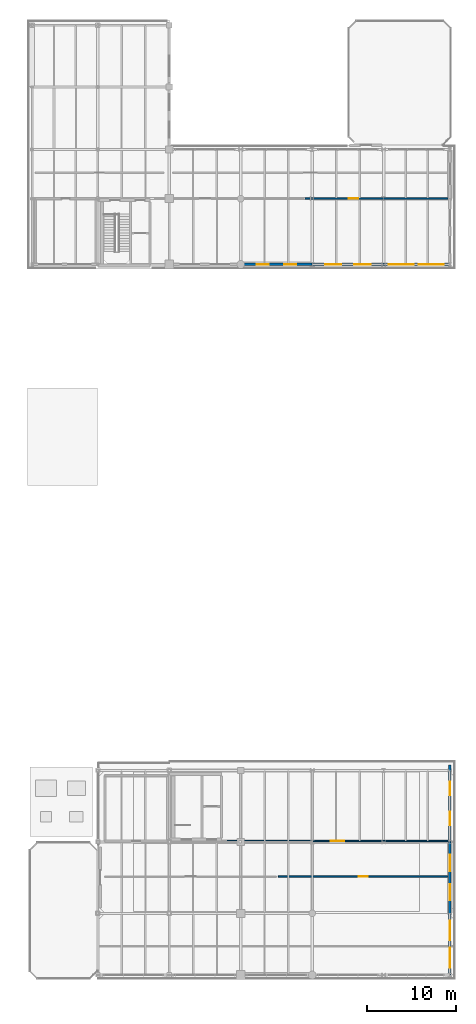
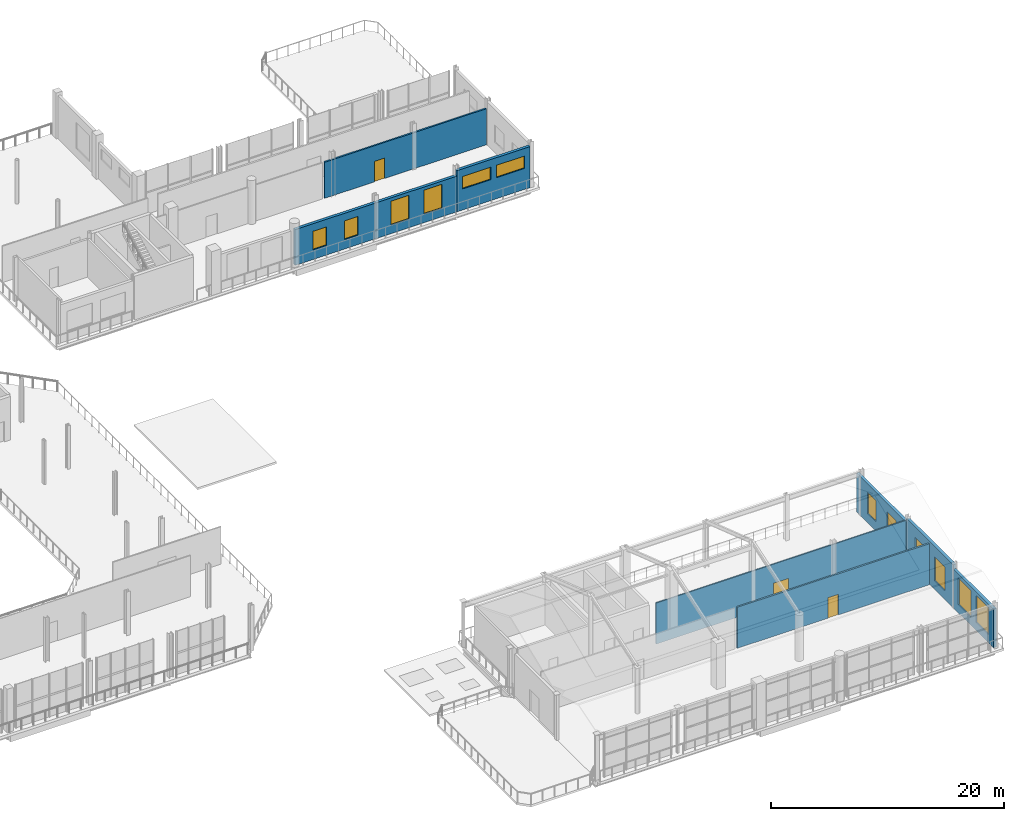
# One storey, part 38 of 51: 12 windows, 9 walls, 3 doors, 15 openings.
"""IFC4 building model written with IfcOpenShell, lengths in metres."""

import ifcopenshell
import ifcopenshell.guid

model = None  # the IFC model being written
_history = None  # IfcOwnerHistory: only IFC2X3 demands one
_inside = {}  # id of a spatial element -> (the spatial element, [elements in it])
_under = {}  # id of a project, library or spatial element -> (it, [spatial elements below it])
_declared = {}  # id of a project -> (the project, [libraries it declares])
_typed = {}  # id of a type object -> (the type object, [elements of that type])
_made_of = {}  # id of a material, layer set ... -> (it, [elements and type objects made of it])


def new_model(schema):
    """Start an empty IFC model of exactly this schema.

    Asked for "IFC4X3", IfcOpenShell would pick the latest addendum, in which some entities
    have other attributes; the version numbers below select the first issue.
    IFC2X3 requires an IfcOwnerHistory on every rooted entity: one is made here for all.
    """
    global model, _history
    if schema == "IFC4X3":
        model = ifcopenshell.file(schema_version=(4, 3, 0, 0))
    else:
        model = ifcopenshell.file(schema=schema)
    _inside.clear()
    _under.clear()
    _declared.clear()
    _typed.clear()
    _made_of.clear()
    _history = None
    if model.schema == "IFC2X3":
        org = make("IfcOrganization", Name="unknown")
        user = make(
            "IfcPersonAndOrganization",
            ThePerson=make("IfcPerson", FamilyName="unknown"),
            TheOrganization=org,
        )
        app = make(
            "IfcApplication",
            ApplicationDeveloper=org,
            Version="unknown",
            ApplicationFullName="unknown",
            ApplicationIdentifier="unknown",
        )
        _history = make(
            "IfcOwnerHistory",
            OwningUser=user,
            OwningApplication=app,
            ChangeAction="ADDED",
            CreationDate=0,
        )
    return model


def make(cls, **values):
    """One entity of the class cls with the attributes given. An attribute that is None is left unset."""
    return model.create_entity(
        cls, **{name: value for name, value in values.items() if value is not None}
    )


def rooted(cls, **values):
    """An entity with a GlobalId (a new one), such as an element, a storey or a relation."""
    return make(cls, GlobalId=ifcopenshell.guid.new(), OwnerHistory=_history, **values)


def si_unit(unit_type, name, prefix=None):
    """IfcSIUnit, for example si_unit("LENGTHUNIT", "METRE", prefix="MILLI")."""
    return make("IfcSIUnit", UnitType=unit_type, Prefix=prefix, Name=name)


def assignment(units):
    """IfcUnitAssignment: the units of a project."""
    return None if units is None else make("IfcUnitAssignment", Units=units)


def point(xyz):
    """IfcCartesianPoint."""
    return None if xyz is None else make("IfcCartesianPoint", Coordinates=xyz)


def direction(xyz):
    """IfcDirection."""
    return None if xyz is None else make("IfcDirection", DirectionRatios=xyz)


def frame(location, z_axis=None, x_axis=None):
    """IfcAxis2Placement3D, a coordinate frame: its origin and axes. An axis left out is left unset."""
    return make(
        "IfcAxis2Placement3D",
        Location=point(location),
        Axis=direction(z_axis),
        RefDirection=direction(x_axis),
    )


def frame_2d(location, x_axis=None):
    """IfcAxis2Placement2D, a coordinate frame in the plane: its origin and x axis."""
    return make(
        "IfcAxis2Placement2D", Location=point(location), RefDirection=direction(x_axis)
    )


def origin():
    """The frame at (0, 0, 0) with its axes left unset."""
    return frame((0.0, 0.0, 0.0))


def place(relative_to, where):
    """IfcLocalPlacement: puts the frame where relative to a parent placement (None: the world)."""
    return make(
        "IfcLocalPlacement", PlacementRelTo=relative_to, RelativePlacement=where
    )


def context(
    kind, dimensions, precision=None, world=None, true_north=None, identifier=None
):
    """IfcGeometricRepresentationContext, for example the 3D "Model" context."""
    return make(
        "IfcGeometricRepresentationContext",
        ContextIdentifier=identifier,
        ContextType=kind,
        CoordinateSpaceDimension=dimensions,
        Precision=precision,
        WorldCoordinateSystem=world,
        TrueNorth=true_north,
    )


def subcontext(parent, identifier, kind, view, scale=None):
    """IfcGeometricRepresentationSubContext, for example "Body" below "Model"."""
    return make(
        "IfcGeometricRepresentationSubContext",
        ContextIdentifier=identifier,
        ContextType=kind,
        ParentContext=parent,
        TargetScale=scale,
        TargetView=view,
    )


def project(units=None, contexts=None):
    """IfcProject with its units and contexts."""
    return rooted(
        "IfcProject",
        Name="project",
        RepresentationContexts=contexts,
        UnitsInContext=assignment(units),
    )


def spatial(cls, under=None, at=None, **own):
    """A site, building, storey or space (cls), placed at a placement, below another one or the project."""
    s = rooted(cls, ObjectPlacement=at, **own)
    if under is not None:
        _under.setdefault(under.id(), (under, []))[1].append(s)
    return s


def profile(cls, at=None, kind="AREA", **sizes):
    """A parametric profile (cls). Its sizes go by their IFC names, for example OverallWidth=200.0."""
    return make(cls, ProfileType=kind, Position=at, **sizes)


def rectangle(**sizes):
    """IfcRectangleProfileDef."""
    return profile("IfcRectangleProfileDef", **sizes)


def extrude(swept, where, along, depth):
    """IfcExtrudedAreaSolid: the profile swept, set in the frame where, extruded along a direction by depth."""
    return make(
        "IfcExtrudedAreaSolid",
        SweptArea=swept,
        Position=where,
        ExtrudedDirection=direction(along),
        Depth=depth,
    )


def shape(context_of_items, identifier, shape_type, items):
    """IfcShapeRepresentation: the items that make up one representation, for example the "Body"."""
    return make(
        "IfcShapeRepresentation",
        ContextOfItems=context_of_items,
        RepresentationIdentifier=identifier,
        RepresentationType=shape_type,
        Items=items,
    )


def material(Name=None, Category=None):
    """IfcMaterial."""
    return make("IfcMaterial", Name=Name, Category=Category)


def layer(
    of_material, thickness, ventilated=None, Name=None, Category=None, Priority=None
):
    """IfcMaterialLayer: one layer of a wall or slab, of a material (None: an air gap)."""
    return make(
        "IfcMaterialLayer",
        Material=of_material,
        LayerThickness=thickness,
        IsVentilated=ventilated,
        Name=Name,
        Category=Category,
        Priority=Priority,
    )


def layer_set(layers, Name=None):
    """IfcMaterialLayerSet."""
    return make("IfcMaterialLayerSet", MaterialLayers=layers, LayerSetName=Name)


def made_of(thing, what):
    """Note that an element or type object is made of a material, layer set ...; save() writes the relation."""
    if what is not None:
        _made_of.setdefault(what.id(), (what, []))[1].append(thing)
    return thing


def type_object(cls, material=None, **own):
    """A type object (cls), such as IfcWallType, which elements share."""
    return made_of(rooted(cls, **own), material)


def element(
    cls,
    number,
    at=None,
    inside=None,
    cuts=None,
    type_object=None,
    material=None,
    context=None,
    identifier="Body",
    shape_type=None,
    held_by="IfcProductDefinitionShape",
    body=None,
    shapes=None,
    **own,
):
    """One element of the class cls, such as IfcWall. Its Tag is "e" and its number.

    at: its placement. inside: the storey or other place that contains it. cuts: it is an
    opening in that element (IfcRelVoidsElement). A single representation is given by context,
    identifier, shape_type and body (its items); several are given by shapes. held_by: the class
    of the entity that holds the representations. save() writes the other relations.
    """
    e = rooted(cls, Tag="e%d" % number, ObjectPlacement=at, **own)
    if body is not None:
        shapes = [shape(context, identifier, shape_type, body)]
    if shapes is not None:
        e.Representation = make(held_by, Representations=shapes)
    if inside is not None:
        _inside.setdefault(inside.id(), (inside, []))[1].append(e)
    if cuts is not None:
        rooted(
            "IfcRelVoidsElement", RelatingBuildingElement=cuts, RelatedOpeningElement=e
        )
    if type_object is not None:
        _typed.setdefault(type_object.id(), (type_object, []))[1].append(e)
    return made_of(e, material)


def fill(opening, filler):
    """IfcRelFillsElement: the door or window that sits in an opening."""
    return rooted(
        "IfcRelFillsElement",
        RelatingOpeningElement=opening,
        RelatedBuildingElement=filler,
    )


def aggregate(whole, parts):
    """IfcRelAggregates: a whole, such as a stair, and the parts it consists of."""
    return rooted("IfcRelAggregates", RelatingObject=whole, RelatedObjects=parts)


def save(model, path):
    """Write the relations noted so far, then the file.

    IfcRelAggregates (storeys below a building ...), IfcRelContainedInSpatialStructure (elements
    in a storey), IfcRelDefinesByType, IfcRelAssociatesMaterial and IfcRelDeclares: one each for
    every whole, place, type object, material and project.
    """
    for whole, parts in _under.values():
        aggregate(whole, parts)
    for where, things in _inside.values():
        rooted(
            "IfcRelContainedInSpatialStructure",
            RelatedElements=things,
            RelatingStructure=where,
        )
    for kind, things in _typed.values():
        rooted("IfcRelDefinesByType", RelatedObjects=things, RelatingType=kind)
    for what, things in _made_of.values():
        rooted("IfcRelAssociatesMaterial", RelatedObjects=things, RelatingMaterial=what)
    for by, libraries in _declared.values():
        rooted("IfcRelDeclares", RelatingContext=by, RelatedDefinitions=libraries)
    model.write(path)


model = new_model("IFC4")

# Units and contexts
model_context = context("Model", 3, precision=1e-05, world=origin(), true_north=direction((0.0, 1.0)))
body_context = subcontext(model_context, "Body", "Model", "MODEL_VIEW")
ifc_project = project(units=[si_unit("LENGTHUNIT", "METRE"), si_unit("AREAUNIT", "SQUARE_METRE"), si_unit("VOLUMEUNIT", "CUBIC_METRE"), si_unit("PLANEANGLEUNIT", "RADIAN"), si_unit("MASSUNIT", "GRAM", prefix="KILO")], contexts=[model_context])

# Site, building, storey
site_placement = place(None, origin())
site = spatial("IfcSite", under=ifc_project, at=site_placement, CompositionType="ELEMENT")
building_placement = place(site_placement, origin())
building = spatial("IfcBuilding", under=site, at=building_placement, Name="Brisemont Oceanarium", CompositionType="ELEMENT")
storey_placement = place(building_placement, frame((0.0, 0.0, 15.0)))
storey = spatial("IfcBuildingStorey", under=building, at=storey_placement, Name="L03", CompositionType="ELEMENT", Elevation=15.0)

# Wall, openings, windows
ifc_material_1 = material(Name="Beaux-Arts Limestone Cladding Precast Concrete C40/50", Category="masonry")
ifc_layer_1 = layer(ifc_material_1, 0.280029296875)
ifc_layer_set_1 = layer_set([ifc_layer_1], Name="Beaux-Arts Limestone Cladding Precast Concrete C40/50")
wall_type_1 = type_object("IfcWallType", Name="EW-LIME-280", PredefinedType="STANDARD", material=ifc_layer_set_1)
wall_1_placement = place(storey_placement, frame((136.0, 80.64990234375, 0.0), z_axis=(0.0, 0.0, 1.0), x_axis=(1.0, 0.0, 0.0)))
wall_1 = element("IfcWall", 1, at=wall_1_placement, inside=storey, type_object=wall_type_1, Name="Beaux-Arts exterior wall EW-V6S-L03-4", PredefinedType="STANDARD", context=body_context, shape_type="SweptSolid", body=[
    extrude(rectangle(XDim=8.0, YDim=0.280029296875, at=frame_2d((4.0, 0.0))), origin(), (0.0, 0.0, 1.0), 3.739990234375),
])
opening_1_placement = place(wall_1_placement, frame((1.7666015625, 0.0, 1.0)))
opening_1 = element("IfcOpeningElement", 2, at=opening_1_placement, cuts=wall_1, Name="Opening WIN-23", PredefinedType="OPENING", context=body_context, shape_type="SweptSolid", body=[
    extrude(rectangle(XDim=1.35009765625, YDim=1.949951171875, at=frame_2d((0.675048828125, 0.97509765625))), frame((0.0, 0.14990234375, 0.0), z_axis=(0.0, -1.0, 0.0), x_axis=(1.0, 0.0, 0.0)), (0.0, 0.0, 1.0), 0.300048828125),
])
opening_2_placement = place(wall_1_placement, frame((4.88330078125, 0.0, 1.0)))
opening_2 = element("IfcOpeningElement", 3, at=opening_2_placement, cuts=wall_1, Name="Opening WIN-23", PredefinedType="OPENING", context=body_context, shape_type="SweptSolid", body=[
    extrude(rectangle(XDim=1.35009765625, YDim=1.949951171875, at=frame_2d((0.675048828125, 0.97509765625))), frame((0.0, 0.14990234375, 0.0), z_axis=(0.0, -1.0, 0.0), x_axis=(1.0, 0.0, 0.0)), (0.0, 0.0, 1.0), 0.300048828125),
])
ifc_material_2 = material(Name="Insulated Low-E Laminated Glass", Category="glass")
window_type_1 = type_object("IfcWindowType", Name="WIN-BA-1350X1950", PartitioningType="SINGLE_PANEL", PredefinedType="WINDOW", material=ifc_material_2)
window_1_placement = place(opening_1_placement, origin())
window_1 = element("IfcWindow", 4, at=window_1_placement, inside=storey, type_object=window_type_1, Name="WIN-23 facade window 77", OverallHeight=1.949951171875, OverallWidth=1.35009765625, PartitioningType="SINGLE_PANEL", PredefinedType="WINDOW", context=body_context, shape_type="SweptSolid", body=[
    extrude(rectangle(XDim=1.35009765625, YDim=1.949951171875, at=frame_2d((0.675048828125, 0.97509765625))), frame((0.0, 0.030029296875, 0.0), z_axis=(0.0, -1.0, 0.0), x_axis=(1.0, 0.0, 0.0)), (0.0, 0.0, 1.0), 0.06005859375),
])
fill(opening_1, window_1)
window_2_placement = place(opening_2_placement, origin())
window_2 = element("IfcWindow", 5, at=window_2_placement, inside=storey, type_object=window_type_1, Name="WIN-23 facade window 78", OverallHeight=1.949951171875, OverallWidth=1.35009765625, PartitioningType="SINGLE_PANEL", PredefinedType="WINDOW", context=body_context, shape_type="SweptSolid", body=[
    extrude(rectangle(XDim=1.35009765625, YDim=1.949951171875, at=frame_2d((0.675048828125, 0.97509765625))), frame((0.0, 0.030029296875, 0.0), z_axis=(0.0, -1.0, 0.0), x_axis=(1.0, 0.0, 0.0)), (0.0, 0.0, 1.0), 0.06005859375),
])
fill(opening_2, window_2)

wall_2_placement = place(storey_placement, frame((144.0, 80.64990234375, 0.0), z_axis=(0.0, 0.0, 1.0), x_axis=(1.0, 0.0, 0.0)))
wall_2 = element("IfcWall", 6, at=wall_2_placement, inside=storey, type_object=wall_type_1, Name="Beaux-Arts exterior wall EW-V6S-L03-5", PredefinedType="STANDARD", context=body_context, shape_type="SweptSolid", body=[
    extrude(rectangle(XDim=8.0, YDim=0.280029296875, at=frame_2d((4.0, 0.0))), origin(), (0.0, 0.0, 1.0), 3.739990234375),
])
opening_3_placement = place(wall_2_placement, frame((1.466796875, 0.0, 0.89990234375)))
opening_3 = element("IfcOpeningElement", 7, at=opening_3_placement, cuts=wall_2, Name="Opening WIN-04", PredefinedType="OPENING", context=body_context, shape_type="SweptSolid", body=[
    extrude(rectangle(XDim=1.800048828125, YDim=2.5, at=frame_2d((0.89990234375, 1.25))), frame((0.0, 0.14990234375, 0.0), z_axis=(0.0, -1.0, 0.0), x_axis=(1.0, 0.0, 0.0)), (0.0, 0.0, 1.0), 0.300048828125),
])
opening_4_placement = place(wall_2_placement, frame((4.7333984375, 0.0, 0.89990234375)))
opening_4 = element("IfcOpeningElement", 8, at=opening_4_placement, cuts=wall_2, Name="Opening WIN-04", PredefinedType="OPENING", context=body_context, shape_type="SweptSolid", body=[
    extrude(rectangle(XDim=1.800048828125, YDim=2.5, at=frame_2d((0.89990234375, 1.25))), frame((0.0, 0.14990234375, 0.0), z_axis=(0.0, -1.0, 0.0), x_axis=(1.0, 0.0, 0.0)), (0.0, 0.0, 1.0), 0.300048828125),
])
ifc_material_3 = material(Name="Insulated Low-E Laminated Glass", Category="glass")
window_type_2 = type_object("IfcWindowType", Name="WIN-BA-1800X2500", PartitioningType="SINGLE_PANEL", PredefinedType="WINDOW", material=ifc_material_3)
window_3_placement = place(opening_3_placement, origin())
window_3 = element("IfcWindow", 9, at=window_3_placement, inside=storey, type_object=window_type_2, Name="WIN-04 facade window 85", OverallHeight=2.5, OverallWidth=1.800048828125, PartitioningType="SINGLE_PANEL", PredefinedType="WINDOW", context=body_context, shape_type="SweptSolid", body=[
    extrude(rectangle(XDim=1.800048828125, YDim=2.5, at=frame_2d((0.89990234375, 1.25))), frame((0.0, 0.030029296875, 0.0), z_axis=(0.0, -1.0, 0.0), x_axis=(1.0, 0.0, 0.0)), (0.0, 0.0, 1.0), 0.06005859375),
])
fill(opening_3, window_3)
window_4_placement = place(opening_4_placement, origin())
window_4 = element("IfcWindow", 10, at=window_4_placement, inside=storey, type_object=window_type_2, Name="WIN-04 facade window 86", OverallHeight=2.5, OverallWidth=1.800048828125, PartitioningType="SINGLE_PANEL", PredefinedType="WINDOW", context=body_context, shape_type="SweptSolid", body=[
    extrude(rectangle(XDim=1.800048828125, YDim=2.5, at=frame_2d((0.89990234375, 1.25))), frame((0.0, 0.030029296875, 0.0), z_axis=(0.0, -1.0, 0.0), x_axis=(1.0, 0.0, 0.0)), (0.0, 0.0, 1.0), 0.06005859375),
])
fill(opening_4, window_4)

wall_3_placement = place(storey_placement, frame((152.0, 80.64990234375, 0.0), z_axis=(0.0, 0.0, 1.0), x_axis=(1.0, 0.0, 0.0)))
wall_3 = element("IfcWall", 11, at=wall_3_placement, inside=storey, type_object=wall_type_1, Name="Beaux-Arts exterior wall EW-V6S-L03-6", PredefinedType="STANDARD", context=body_context, shape_type="SweptSolid", body=[
    extrude(rectangle(XDim=7.25, YDim=0.280029296875, at=frame_2d((3.625, 0.0))), origin(), (0.0, 0.0, 1.0), 4.300048828125),
])
opening_5_placement = place(wall_3_placement, frame((0.550048828125, 0.0, 2.199951171875)))
opening_5 = element("IfcOpeningElement", 12, at=opening_5_placement, cuts=wall_3, Name="Opening WIN-12", PredefinedType="OPENING", context=body_context, shape_type="SweptSolid", body=[
    extrude(rectangle(XDim=2.800048828125, YDim=1.300048828125, at=frame_2d((1.39990234375, 0.64990234375))), frame((0.0, 0.14990234375, 0.0), z_axis=(0.0, -1.0, 0.0), x_axis=(1.0, 0.0, 0.0)), (0.0, 0.0, 1.0), 0.300048828125),
])
opening_6_placement = place(wall_3_placement, frame((3.89990234375, 0.0, 2.199951171875)))
opening_6 = element("IfcOpeningElement", 13, at=opening_6_placement, cuts=wall_3, Name="Opening WIN-12", PredefinedType="OPENING", context=body_context, shape_type="SweptSolid", body=[
    extrude(rectangle(XDim=2.800048828125, YDim=1.300048828125, at=frame_2d((1.39990234375, 0.64990234375))), frame((0.0, 0.14990234375, 0.0), z_axis=(0.0, -1.0, 0.0), x_axis=(1.0, 0.0, 0.0)), (0.0, 0.0, 1.0), 0.300048828125),
])
ifc_material_4 = material(Name="Insulated Low-E Laminated Glass", Category="glass")
window_type_3 = type_object("IfcWindowType", Name="WIN-CLR-2800X1300", PartitioningType="SINGLE_PANEL", PredefinedType="WINDOW", material=ifc_material_4)
window_5_placement = place(opening_5_placement, origin())
window_5 = element("IfcWindow", 14, at=window_5_placement, inside=storey, type_object=window_type_3, Name="WIN-12 facade window 93", OverallHeight=1.300048828125, OverallWidth=2.800048828125, PartitioningType="SINGLE_PANEL", PredefinedType="WINDOW", context=body_context, shape_type="SweptSolid", body=[
    extrude(rectangle(XDim=2.800048828125, YDim=1.300048828125, at=frame_2d((1.39990234375, 0.64990234375))), frame((0.0, 0.030029296875, 0.0), z_axis=(0.0, -1.0, 0.0), x_axis=(1.0, 0.0, 0.0)), (0.0, 0.0, 1.0), 0.06005859375),
])
fill(opening_5, window_5)
window_6_placement = place(opening_6_placement, origin())
window_6 = element("IfcWindow", 15, at=window_6_placement, inside=storey, type_object=window_type_3, Name="WIN-12 facade window 94", OverallHeight=1.300048828125, OverallWidth=2.800048828125, PartitioningType="SINGLE_PANEL", PredefinedType="WINDOW", context=body_context, shape_type="SweptSolid", body=[
    extrude(rectangle(XDim=2.800048828125, YDim=1.300048828125, at=frame_2d((1.39990234375, 0.64990234375))), frame((0.0, 0.030029296875, 0.0), z_axis=(0.0, -1.0, 0.0), x_axis=(1.0, 0.0, 0.0)), (0.0, 0.0, 1.0), 0.06005859375),
])
fill(opening_6, window_6)

wall_4_placement = place(storey_placement, frame((159.39990234375, 1.10009765625, 0.0), z_axis=(0.0, 0.0, 1.0), x_axis=(0.0, 1.0, 0.0)))
wall_4 = element("IfcWall", 16, at=wall_4_placement, inside=storey, type_object=wall_type_1, Name="Beaux-Arts exterior wall EW-V3-E-L03-1", PredefinedType="STANDARD", context=body_context, shape_type="SweptSolid", body=[
    extrude(rectangle(XDim=6.89990234375, YDim=0.280029296875, at=frame_2d((3.449951171875, 0.0))), origin(), (0.0, 0.0, 1.0), 4.047119140625),
])
opening_7_placement = place(wall_4_placement, frame((0.833251953125, 0.0, 0.85009765625)))
opening_7 = element("IfcOpeningElement", 17, at=opening_7_placement, cuts=wall_4, Name="Opening WIN-02", PredefinedType="OPENING", context=body_context, shape_type="SweptSolid", body=[
    extrude(rectangle(XDim=2.199951171875, YDim=2.800048828125, at=frame_2d((1.10009765625, 1.39990234375))), frame((0.0, 0.14990234375, 0.0), z_axis=(0.0, -1.0, 0.0), x_axis=(1.0, 0.0, 0.0)), (0.0, 0.0, 1.0), 0.300048828125),
])
opening_8_placement = place(wall_4_placement, frame((3.86669921875, 0.0, 0.85009765625)))
opening_8 = element("IfcOpeningElement", 18, at=opening_8_placement, cuts=wall_4, Name="Opening WIN-02", PredefinedType="OPENING", context=body_context, shape_type="SweptSolid", body=[
    extrude(rectangle(XDim=2.199951171875, YDim=2.800048828125, at=frame_2d((1.10009765625, 1.39990234375))), frame((0.0, 0.14990234375, 0.0), z_axis=(0.0, -1.0, 0.0), x_axis=(1.0, 0.0, 0.0)), (0.0, 0.0, 1.0), 0.300048828125),
])
ifc_material_5 = material(Name="Insulated Low-E Laminated Glass", Category="glass")
window_type_4 = type_object("IfcWindowType", Name="WIN-BA-2200X2800", PartitioningType="SINGLE_PANEL", PredefinedType="WINDOW", material=ifc_material_5)
window_7_placement = place(opening_7_placement, origin())
window_7 = element("IfcWindow", 19, at=window_7_placement, inside=storey, type_object=window_type_4, Name="WIN-02 facade window 110", OverallHeight=2.800048828125, OverallWidth=2.199951171875, PartitioningType="SINGLE_PANEL", PredefinedType="WINDOW", context=body_context, shape_type="SweptSolid", body=[
    extrude(rectangle(XDim=2.199951171875, YDim=2.800048828125, at=frame_2d((1.10009765625, 1.39990234375))), frame((0.0, 0.030029296875, 0.0), z_axis=(0.0, -1.0, 0.0), x_axis=(1.0, 0.0, 0.0)), (0.0, 0.0, 1.0), 0.06005859375),
])
fill(opening_7, window_7)
window_8_placement = place(opening_8_placement, origin())
window_8 = element("IfcWindow", 20, at=window_8_placement, inside=storey, type_object=window_type_4, Name="WIN-02 facade window 111", OverallHeight=2.800048828125, OverallWidth=2.199951171875, PartitioningType="SINGLE_PANEL", PredefinedType="WINDOW", context=body_context, shape_type="SweptSolid", body=[
    extrude(rectangle(XDim=2.199951171875, YDim=2.800048828125, at=frame_2d((1.10009765625, 1.39990234375))), frame((0.0, 0.030029296875, 0.0), z_axis=(0.0, -1.0, 0.0), x_axis=(1.0, 0.0, 0.0)), (0.0, 0.0, 1.0), 0.06005859375),
])
fill(opening_8, window_8)

wall_5_placement = place(storey_placement, frame((159.39990234375, 8.0, 0.0), z_axis=(0.0, 0.0, 1.0), x_axis=(0.0, 1.0, 0.0)))
wall_5 = element("IfcWall", 21, at=wall_5_placement, inside=storey, type_object=wall_type_1, Name="Beaux-Arts exterior wall EW-V3-E-L03-2", PredefinedType="STANDARD", context=body_context, shape_type="SweptSolid", body=[
    extrude(rectangle(XDim=8.0, YDim=0.280029296875, at=frame_2d((4.0, 0.0))), origin(), (0.0, 0.0, 1.0), 4.5),
])
opening_9_placement = place(wall_5_placement, frame((1.466796875, 0.0, 0.89990234375)))
opening_9 = element("IfcOpeningElement", 22, at=opening_9_placement, cuts=wall_5, Name="Opening WIN-04", PredefinedType="OPENING", context=body_context, shape_type="SweptSolid", body=[
    extrude(rectangle(XDim=1.800048828125, YDim=2.5, at=frame_2d((0.89990234375, 1.25))), frame((0.0, 0.14990234375, 0.0), z_axis=(0.0, -1.0, 0.0), x_axis=(1.0, 0.0, 0.0)), (0.0, 0.0, 1.0), 0.300048828125),
])
opening_10_placement = place(wall_5_placement, frame((4.7333984375, 0.0, 0.89990234375)))
opening_10 = element("IfcOpeningElement", 23, at=opening_10_placement, cuts=wall_5, Name="Opening WIN-04", PredefinedType="OPENING", context=body_context, shape_type="SweptSolid", body=[
    extrude(rectangle(XDim=1.800048828125, YDim=2.5, at=frame_2d((0.89990234375, 1.25))), frame((0.0, 0.14990234375, 0.0), z_axis=(0.0, -1.0, 0.0), x_axis=(1.0, 0.0, 0.0)), (0.0, 0.0, 1.0), 0.300048828125),
])
window_9_placement = place(opening_9_placement, origin())
window_9 = element("IfcWindow", 24, at=window_9_placement, inside=storey, type_object=window_type_2, Name="WIN-04 facade window 112", OverallHeight=2.5, OverallWidth=1.800048828125, PartitioningType="SINGLE_PANEL", PredefinedType="WINDOW", context=body_context, shape_type="SweptSolid", body=[
    extrude(rectangle(XDim=1.800048828125, YDim=2.5, at=frame_2d((0.89990234375, 1.25))), frame((0.0, 0.030029296875, 0.0), z_axis=(0.0, -1.0, 0.0), x_axis=(1.0, 0.0, 0.0)), (0.0, 0.0, 1.0), 0.06005859375),
])
fill(opening_9, window_9)
window_10_placement = place(opening_10_placement, origin())
window_10 = element("IfcWindow", 25, at=window_10_placement, inside=storey, type_object=window_type_2, Name="WIN-04 facade window 113", OverallHeight=2.5, OverallWidth=1.800048828125, PartitioningType="SINGLE_PANEL", PredefinedType="WINDOW", context=body_context, shape_type="SweptSolid", body=[
    extrude(rectangle(XDim=1.800048828125, YDim=2.5, at=frame_2d((0.89990234375, 1.25))), frame((0.0, 0.030029296875, 0.0), z_axis=(0.0, -1.0, 0.0), x_axis=(1.0, 0.0, 0.0)), (0.0, 0.0, 1.0), 0.06005859375),
])
fill(opening_10, window_10)

wall_6_placement = place(storey_placement, frame((159.39990234375, 16.0, 0.0), z_axis=(0.0, 0.0, 1.0), x_axis=(0.0, 1.0, 0.0)))
wall_6 = element("IfcWall", 26, at=wall_6_placement, inside=storey, type_object=wall_type_1, Name="Beaux-Arts exterior wall EW-V3-E-L03-3", PredefinedType="STANDARD", context=body_context, shape_type="SweptSolid", body=[
    extrude(rectangle(XDim=8.60009765625, YDim=0.280029296875, at=frame_2d((4.300048828125, 0.0))), origin(), (0.0, 0.0, 1.0), 4.047119140625),
])
opening_11_placement = place(wall_6_placement, frame((1.86669921875, 0.0, 0.949951171875)))
opening_11 = element("IfcOpeningElement", 27, at=opening_11_placement, cuts=wall_6, Name="Opening WIN-06", PredefinedType="OPENING", context=body_context, shape_type="SweptSolid", body=[
    extrude(rectangle(XDim=1.5, YDim=2.199951171875, at=frame_2d((0.75, 1.10009765625))), frame((0.0, 0.14990234375, 0.0), z_axis=(0.0, -1.0, 0.0), x_axis=(1.0, 0.0, 0.0)), (0.0, 0.0, 1.0), 0.300048828125),
])
opening_12_placement = place(wall_6_placement, frame((5.2333984375, 0.0, 0.949951171875)))
opening_12 = element("IfcOpeningElement", 28, at=opening_12_placement, cuts=wall_6, Name="Opening WIN-06", PredefinedType="OPENING", context=body_context, shape_type="SweptSolid", body=[
    extrude(rectangle(XDim=1.5, YDim=2.199951171875, at=frame_2d((0.75, 1.10009765625))), frame((0.0, 0.14990234375, 0.0), z_axis=(0.0, -1.0, 0.0), x_axis=(1.0, 0.0, 0.0)), (0.0, 0.0, 1.0), 0.300048828125),
])
ifc_material_6 = material(Name="Insulated Low-E Laminated Glass", Category="glass")
window_type_5 = type_object("IfcWindowType", Name="WIN-BA-1500X2200", PartitioningType="SINGLE_PANEL", PredefinedType="WINDOW", material=ifc_material_6)
window_11_placement = place(opening_11_placement, origin())
window_11 = element("IfcWindow", 29, at=window_11_placement, inside=storey, type_object=window_type_5, Name="WIN-06 facade window 114", OverallHeight=2.199951171875, OverallWidth=1.5, PartitioningType="SINGLE_PANEL", PredefinedType="WINDOW", context=body_context, shape_type="SweptSolid", body=[
    extrude(rectangle(XDim=1.5, YDim=2.199951171875, at=frame_2d((0.75, 1.10009765625))), frame((0.0, 0.030029296875, 0.0), z_axis=(0.0, -1.0, 0.0), x_axis=(1.0, 0.0, 0.0)), (0.0, 0.0, 1.0), 0.06005859375),
])
fill(opening_11, window_11)
window_12_placement = place(opening_12_placement, origin())
window_12 = element("IfcWindow", 30, at=window_12_placement, inside=storey, type_object=window_type_5, Name="WIN-06 facade window 115", OverallHeight=2.199951171875, OverallWidth=1.5, PartitioningType="SINGLE_PANEL", PredefinedType="WINDOW", context=body_context, shape_type="SweptSolid", body=[
    extrude(rectangle(XDim=1.5, YDim=2.199951171875, at=frame_2d((0.75, 1.10009765625))), frame((0.0, 0.030029296875, 0.0), z_axis=(0.0, -1.0, 0.0), x_axis=(1.0, 0.0, 0.0)), (0.0, 0.0, 1.0), 0.06005859375),
])
fill(opening_12, window_12)

# Wall, opening, door
ifc_material_7 = material(Name="Moisture-Resistant Gypsum Steel-Stud Partition", Category="steel")
ifc_layer_2 = layer(ifc_material_7, 0.159912109375)
ifc_layer_set_2 = layer_set([ifc_layer_2], Name="Moisture-Resistant Gypsum Steel-Stud Partition")
wall_type_2 = type_object("IfcWallType", Name="IW-FB-160", PredefinedType="PARTITIONING", material=ifc_layer_set_2)
wall_7_placement = place(storey_placement, frame((140.199951171875, 12.10009765625, 0.0), z_axis=(0.0, 0.0, 1.0), x_axis=(1.0, 0.0, 0.0)))
wall_7 = element("IfcWall", 31, at=wall_7_placement, inside=storey, type_object=wall_type_2, Name="Education Centre Visiting Fellow Seminar Suite corridor partition", PredefinedType="PARTITIONING", context=body_context, shape_type="SweptSolid", body=[
    extrude(rectangle(XDim=19.0, YDim=0.159912109375, at=frame_2d((9.5, 0.0))), origin(), (0.0, 0.0, 1.0), 4.2900390625),
])
opening_13_placement = place(wall_7_placement, frame((8.989990234375, 0.0, 0.0)))
opening_13 = element("IfcOpeningElement", 32, at=opening_13_placement, cuts=wall_7, Name="Opening D-01", PredefinedType="OPENING", context=body_context, shape_type="SweptSolid", body=[
    extrude(rectangle(XDim=1.02001953125, YDim=2.14990234375, at=frame_2d((0.510009765625, 1.074951171875))), frame((0.0, 0.08984375, 0.0), z_axis=(0.0, -1.0, 0.0), x_axis=(1.0, 0.0, 0.0)), (0.0, 0.0, 1.0), 0.179931640625),
])
ifc_material_8 = material(Name="FSC White Oak Solid-Core Fire Door")
door_type_1 = type_object("IfcDoorType", Name="DR-RM-1020X2150", OperationType="NOTDEFINED", PredefinedType="DOOR", material=ifc_material_8)
door_1_placement = place(opening_13_placement, origin())
door_1 = element("IfcDoor", 33, at=door_1_placement, inside=storey, type_object=door_type_1, Name="D-01 door to Education Centre Visiting Fellow Seminar Suite", OperationType="SINGLE_SWING_RIGHT", OverallHeight=2.14990234375, OverallWidth=1.02001953125, PredefinedType="DOOR", context=body_context, shape_type="SweptSolid", body=[
    extrude(rectangle(XDim=1.02001953125, YDim=2.14990234375, at=frame_2d((0.510009765625, 1.074951171875))), frame((0.0, 0.02490234375, 0.0), z_axis=(0.0, -1.0, 0.0), x_axis=(1.0, 0.0, 0.0)), (0.0, 0.0, 1.0), 0.050048828125),
])
fill(opening_13, door_1)

wall_8_placement = place(storey_placement, frame((143.199951171875, 88.0, 0.0), z_axis=(0.0, 0.0, 1.0), x_axis=(1.0, 0.0, 0.0)))
wall_8 = element("IfcWall", 34, at=wall_8_placement, inside=storey, type_object=wall_type_2, Name="Marine Policy and Climate Resilience Institute corridor partition", PredefinedType="PARTITIONING", context=body_context, shape_type="SweptSolid", body=[
    extrude(rectangle(XDim=16.0, YDim=0.159912109375, at=frame_2d((8.0, 0.0))), origin(), (0.0, 0.0, 1.0), 3.778076171875),
])
opening_14_placement = place(wall_8_placement, frame((4.90869140625, 0.0, 0.0)))
opening_14 = element("IfcOpeningElement", 35, at=opening_14_placement, cuts=wall_8, Name="Opening D-01", PredefinedType="OPENING", context=body_context, shape_type="SweptSolid", body=[
    extrude(rectangle(XDim=1.02001953125, YDim=2.14990234375, at=frame_2d((0.510009765625, 1.074951171875))), frame((0.0, 0.08984375, 0.0), z_axis=(0.0, -1.0, 0.0), x_axis=(1.0, 0.0, 0.0)), (0.0, 0.0, 1.0), 0.179931640625),
])
door_2_placement = place(opening_14_placement, origin())
door_2 = element("IfcDoor", 36, at=door_2_placement, inside=storey, type_object=door_type_1, Name="D-01 door to Marine Policy and Climate Resilience Institute", OperationType="SINGLE_SWING_LEFT", OverallHeight=2.14990234375, OverallWidth=1.02001953125, PredefinedType="DOOR", context=body_context, shape_type="SweptSolid", body=[
    extrude(rectangle(XDim=1.02001953125, YDim=2.14990234375, at=frame_2d((0.510009765625, 1.074951171875))), frame((0.0, 0.02490234375, 0.0), z_axis=(0.0, -1.0, 0.0), x_axis=(1.0, 0.0, 0.0)), (0.0, 0.0, 1.0), 0.050048828125),
])
fill(opening_14, door_2)

ifc_material_9 = material(Name="Moisture-Resistant Gypsum Steel-Stud Partition", Category="steel")
ifc_layer_3 = layer(ifc_material_9, 0.1201171875)
ifc_layer_set_3 = layer_set([ifc_layer_3], Name="Moisture-Resistant Gypsum Steel-Stud Partition")
wall_type_3 = type_object("IfcWallType", Name="IW-PART-120", PredefinedType="PARTITIONING", material=ifc_layer_set_3)
wall_9_placement = place(storey_placement, frame((134.5, 16.10009765625, 0.0), z_axis=(0.0, 0.0, 1.0), x_axis=(1.0, 0.0, 0.0)))
wall_9 = element("IfcWall", 37, at=wall_9_placement, inside=storey, type_object=wall_type_3, Name="Education Centre Archive Rare Folio Room corridor partition", PredefinedType="PARTITIONING", context=body_context, shape_type="SweptSolid", body=[
    extrude(rectangle(XDim=24.699951171875, YDim=0.1201171875, at=frame_2d((12.35009765625, 0.0))), origin(), (0.0, 0.0, 1.0), 4.2900390625),
])
opening_15_placement = place(wall_9_placement, frame((11.60009765625, 0.0, 0.0)))
opening_15 = element("IfcOpeningElement", 38, at=opening_15_placement, cuts=wall_9, Name="Opening GD-03", PredefinedType="OPENING", context=body_context, shape_type="SweptSolid", body=[
    extrude(rectangle(XDim=1.5, YDim=2.300048828125, at=frame_2d((0.75, 1.14990234375))), frame((0.0, 0.070068359375, 0.0), z_axis=(0.0, -1.0, 0.0), x_axis=(1.0, 0.0, 0.0)), (0.0, 0.0, 1.0), 0.14013671875),
])
ifc_material_10 = material(Name="Patinated Architectural Bronze C38500")
door_type_2 = type_object("IfcDoorType", Name="DR-GAL-1500X2300", OperationType="NOTDEFINED", PredefinedType="DOOR", material=ifc_material_10)
door_3_placement = place(opening_15_placement, origin())
door_3 = element("IfcDoor", 39, at=door_3_placement, inside=storey, type_object=door_type_2, Name="GD-03 door to Education Centre Archive Rare Folio Room", OperationType="SINGLE_SWING_RIGHT", OverallHeight=2.300048828125, OverallWidth=1.5, PredefinedType="DOOR", context=body_context, shape_type="SweptSolid", body=[
    extrude(rectangle(XDim=1.5, YDim=2.300048828125, at=frame_2d((0.75, 1.14990234375))), frame((0.0, 0.02490234375, 0.0), z_axis=(0.0, -1.0, 0.0), x_axis=(1.0, 0.0, 0.0)), (0.0, 0.0, 1.0), 0.050048828125),
])
fill(opening_15, door_3)

save(model, "model.ifc")
